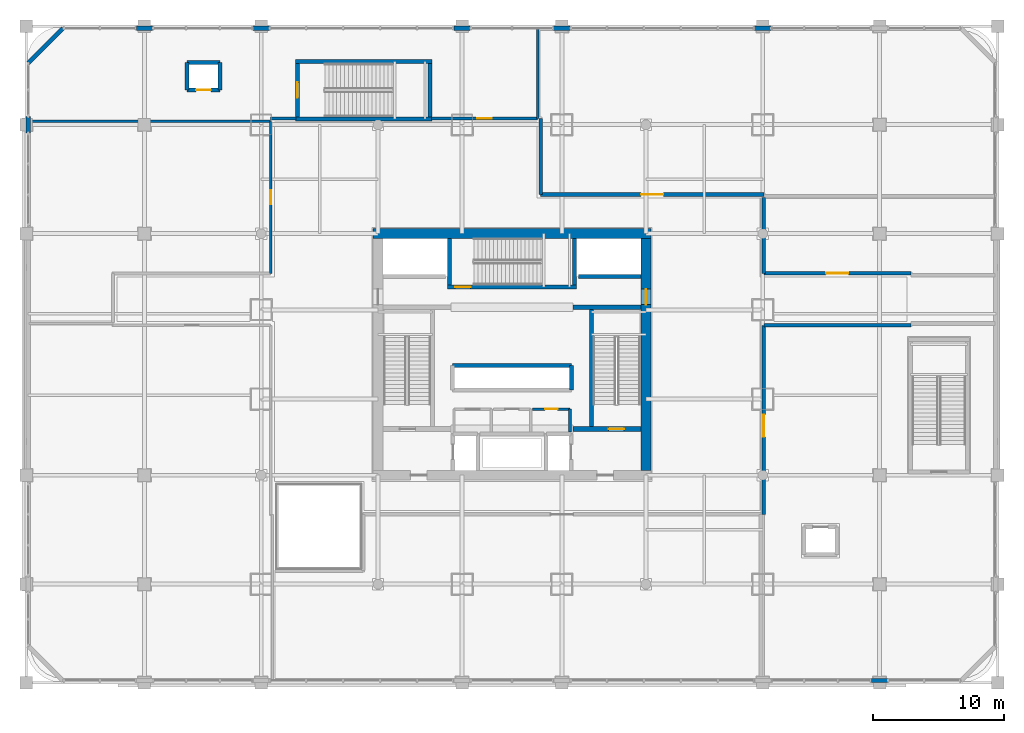
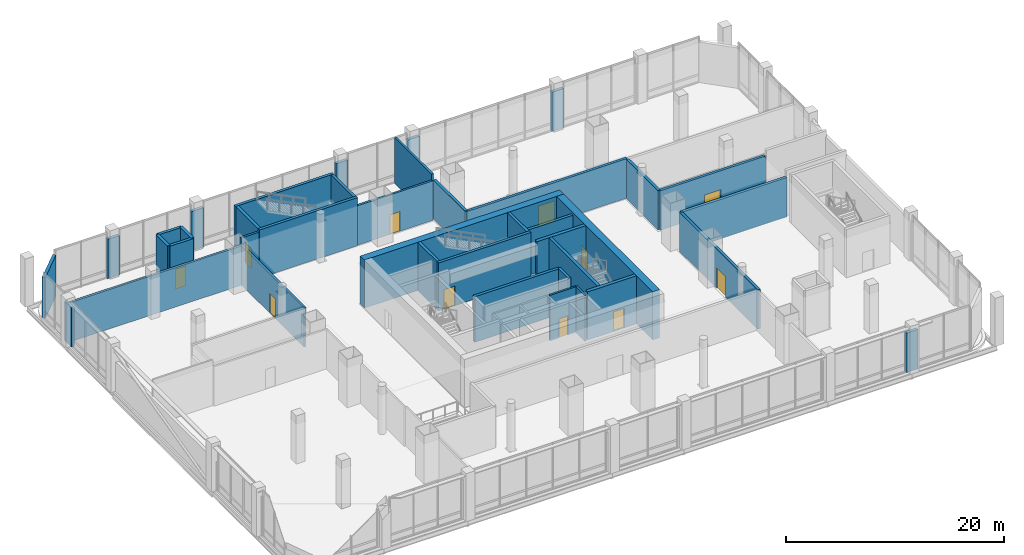
# One storey, part 28 of 39: 40 walls, 11 doors, 11 openings.
"""IFC4 building model written with IfcOpenShell, lengths in metres."""

from ifc_helpers import new_model, si_unit, direction, frame, frame_2d, origin, place, context, subcontext, project, spatial, rectangle, extrude, material, layer, layer_set, type_object, element, fill, save


model = new_model("IFC4")

# Units and contexts
model_context = context("Model", 3, precision=1e-05, world=origin(), true_north=direction((0.0, 1.0)))
body_context = subcontext(model_context, "Body", "Model", "MODEL_VIEW")
ifc_project = project(units=[si_unit("LENGTHUNIT", "METRE"), si_unit("AREAUNIT", "SQUARE_METRE"), si_unit("VOLUMEUNIT", "CUBIC_METRE"), si_unit("PLANEANGLEUNIT", "RADIAN"), si_unit("MASSUNIT", "GRAM", prefix="KILO")], contexts=[model_context])

# Site, building, storey
site_placement = place(None, origin())
site = spatial("IfcSite", under=ifc_project, at=site_placement, CompositionType="ELEMENT")
building_placement = place(site_placement, origin())
building = spatial("IfcBuilding", under=site, at=building_placement, Name="Punatoya Terracotta Tower", CompositionType="ELEMENT")
storey_placement = place(building_placement, frame((0.0, 0.0, 11.39990234375)))
storey = spatial("IfcBuildingStorey", under=building, at=storey_placement, Name="L02", CompositionType="ELEMENT", Elevation=11.39990234375)

# Wall, opening, door
ifc_material_1 = material(Name="Concrete C40/50", Category="concrete")
ifc_layer_1 = layer(ifc_material_1, 0.280029296875)
ifc_layer_set_1 = layer_set([ifc_layer_1], Name="Concrete C40/50")
wall_type_1 = type_object("IfcWallType", Name="WL-AUD-280", PredefinedType="SOLIDWALL", material=ifc_layer_set_1)
wall_1_placement = place(storey_placement, frame((19.179931640625, -12.179931640625, 0.0), z_axis=(0.0, 0.0, 1.0), x_axis=(0.0, 1.0, 0.0)))
wall_1 = element("IfcWall", 1, at=wall_1_placement, inside=storey, type_object=wall_type_1, Name="L02 East Terrace Cafe and Executive Dining Room Partition 16", PredefinedType="SOLIDWALL", context=body_context, shape_type="SweptSolid", body=[
    extrude(rectangle(XDim=14.39990234375, YDim=0.280029296875, at=frame_2d((7.199951171875, 0.0))), origin(), (0.0, 0.0, 1.0), 4.4140625),
])
opening_1_placement = place(wall_1_placement, frame((5.89990234375, 0.0, 0.0)))
opening_1 = element("IfcOpeningElement", 2, at=opening_1_placement, cuts=wall_1, Name="Opening FD-D1", PredefinedType="OPENING", context=body_context, shape_type="SweptSolid", body=[
    extrude(rectangle(XDim=1.699951171875, YDim=2.300048828125, at=frame_2d((0.85009765625, 1.14990234375))), frame((0.0, 0.14990234375, 0.0), z_axis=(0.0, -1.0, 0.0), x_axis=(1.0, 0.0, 0.0)), (0.0, 0.0, 1.0), 0.300048828125),
])
ifc_material_2 = material(Name="Timber Teak Veneer Fire Leaf", Category="wood")
door_type_1 = type_object("IfcDoorType", Name="DR-DIN-1700", OperationType="NOTDEFINED", PredefinedType="DOOR", material=ifc_material_2)
door_1_placement = place(opening_1_placement, origin())
door_1 = element("IfcDoor", 3, at=door_1_placement, inside=storey, type_object=door_type_1, Name="L02 East Terrace Cafe and Executive Dining Room Fire Door", OperationType="DOUBLE_DOOR_SINGLE_SWING", OverallHeight=2.300048828125, OverallWidth=1.699951171875, PredefinedType="DOOR", context=body_context, shape_type="SweptSolid", body=[
    extrude(rectangle(XDim=1.699951171875, YDim=2.300048828125, at=frame_2d((0.85009765625, 1.14990234375))), frame((0.0, 0.02490234375, 0.0), z_axis=(0.0, -1.0, 0.0), x_axis=(1.0, 0.0, 0.0)), (0.0, 0.0, 1.0), 0.050048828125),
])
fill(opening_1, door_1)

# Wall
wall_2_placement = place(storey_placement, frame((19.179931640625, 2.219970703125, 0.0), z_axis=(0.0, 0.0, 1.0), x_axis=(1.0, 0.0, 0.0)))
element("IfcWall", 4, at=wall_2_placement, inside=storey, type_object=wall_type_1, Name="L02 East Terrace Cafe and Executive Dining Room Partition 17", PredefinedType="SOLIDWALL", context=body_context, shape_type="SweptSolid", body=[
    extrude(rectangle(XDim=11.199951171875, YDim=0.280029296875, at=frame_2d((5.60009765625, 0.0))), origin(), (0.0, 0.0, 1.0), 4.4140625),
])

# Wall, opening, door
wall_3_placement = place(storey_placement, frame((19.179931640625, 12.179931640625, 0.0), z_axis=(0.0, 0.0, 1.0), x_axis=(-1.0, 0.0, 0.0)))
wall_3 = element("IfcWall", 5, at=wall_3_placement, inside=storey, type_object=wall_type_1, Name="L02 North Private Banquet Dining Suite Partition 27", PredefinedType="SOLIDWALL", context=body_context, shape_type="SweptSolid", body=[
    extrude(rectangle(XDim=17.0, YDim=0.280029296875, at=frame_2d((8.5, 0.0))), origin(), (0.0, 0.0, 1.0), 4.4140625),
])
opening_2_placement = place(wall_3_placement, frame((7.64990234375, 0.0, 0.0)))
opening_2 = element("IfcOpeningElement", 6, at=opening_2_placement, cuts=wall_3, Name="Opening FD-D1", PredefinedType="OPENING", context=body_context, shape_type="SweptSolid", body=[
    extrude(rectangle(XDim=1.699951171875, YDim=2.300048828125, at=frame_2d((0.85009765625, 1.14990234375))), frame((0.0, 0.14990234375, 0.0), z_axis=(0.0, -1.0, 0.0), x_axis=(1.0, 0.0, 0.0)), (0.0, 0.0, 1.0), 0.300048828125),
])
door_2_placement = place(opening_2_placement, origin())
door_2 = element("IfcDoor", 7, at=door_2_placement, inside=storey, type_object=door_type_1, Name="L02 North Private Banquet Dining Suite Fire Door", OperationType="DOUBLE_DOOR_SINGLE_SWING", OverallHeight=2.300048828125, OverallWidth=1.699951171875, PredefinedType="DOOR", context=body_context, shape_type="SweptSolid", body=[
    extrude(rectangle(XDim=1.699951171875, YDim=2.300048828125, at=frame_2d((0.85009765625, 1.14990234375))), frame((0.0, 0.02490234375, 0.0), z_axis=(0.0, -1.0, 0.0), x_axis=(1.0, 0.0, 0.0)), (0.0, 0.0, 1.0), 0.050048828125),
])
fill(opening_2, door_2)

# Wall
wall_4_placement = place(storey_placement, frame((2.179931640625, 12.179931640625, 0.0), z_axis=(0.0, 0.0, 1.0), x_axis=(0.0, 1.0, 0.0)))
element("IfcWall", 8, at=wall_4_placement, inside=storey, type_object=wall_type_1, Name="L02 North Private Banquet Dining Suite Partition 28", PredefinedType="SOLIDWALL", context=body_context, shape_type="SweptSolid", body=[
    extrude(rectangle(XDim=5.800048828125, YDim=0.280029296875, at=frame_2d((2.89990234375, 0.0))), origin(), (0.0, 0.0, 1.0), 4.4140625),
])

# Wall, opening, door
wall_5_placement = place(storey_placement, frame((30.3798828125, 6.179931640625, 0.0), z_axis=(0.0, 0.0, 1.0), x_axis=(-1.0, 0.0, 0.0)))
wall_5 = element("IfcWall", 9, at=wall_5_placement, inside=storey, type_object=wall_type_1, Name="L02 East Private Dining Lounge Partition 30", PredefinedType="SOLIDWALL", context=body_context, shape_type="SweptSolid", body=[
    extrude(rectangle(XDim=11.199951171875, YDim=0.280029296875, at=frame_2d((5.60009765625, 0.0))), origin(), (0.0, 0.0, 1.0), 4.4140625),
])
opening_3_placement = place(wall_5_placement, frame((4.75, 0.0, 0.0)))
opening_3 = element("IfcOpeningElement", 10, at=opening_3_placement, cuts=wall_5, Name="Opening FD-D1", PredefinedType="OPENING", context=body_context, shape_type="SweptSolid", body=[
    extrude(rectangle(XDim=1.699951171875, YDim=2.300048828125, at=frame_2d((0.85009765625, 1.14990234375))), frame((0.0, 0.14990234375, 0.0), z_axis=(0.0, -1.0, 0.0), x_axis=(1.0, 0.0, 0.0)), (0.0, 0.0, 1.0), 0.300048828125),
])
door_3_placement = place(opening_3_placement, origin())
door_3 = element("IfcDoor", 11, at=door_3_placement, inside=storey, type_object=door_type_1, Name="L02 East Private Dining Lounge Fire Door", OperationType="DOUBLE_DOOR_SINGLE_SWING", OverallHeight=2.300048828125, OverallWidth=1.699951171875, PredefinedType="DOOR", context=body_context, shape_type="SweptSolid", body=[
    extrude(rectangle(XDim=1.699951171875, YDim=2.300048828125, at=frame_2d((0.85009765625, 1.14990234375))), frame((0.0, 0.02490234375, 0.0), z_axis=(0.0, -1.0, 0.0), x_axis=(1.0, 0.0, 0.0)), (0.0, 0.0, 1.0), 0.050048828125),
])
fill(opening_3, door_3)

# Walls
wall_6_placement = place(storey_placement, frame((19.179931640625, 6.179931640625, 0.0), z_axis=(0.0, 0.0, 1.0), x_axis=(0.0, 1.0, 0.0)))
element("IfcWall", 12, at=wall_6_placement, inside=storey, type_object=wall_type_1, Name="L02 East Private Dining Lounge Partition 31", PredefinedType="SOLIDWALL", context=body_context, shape_type="SweptSolid", body=[
    extrude(rectangle(XDim=5.780029296875, YDim=0.280029296875, at=frame_2d((2.89013671875, 0.0))), origin(), (0.0, 0.0, 1.0), 4.4140625),
])
ifc_material_3 = material(Name="Concrete C60/75", Category="concrete")
ifc_layer_2 = layer(ifc_material_3, 0.75)
ifc_layer_set_2 = layer_set([ifc_layer_2], Name="Concrete C60/75")
wall_type_2 = type_object("IfcWallType", Name="WL-COR-750", PredefinedType="SHEAR", material=ifc_layer_set_2)
wall_7_placement = place(storey_placement, frame((-10.574951171875, 9.199951171875, 0.0), z_axis=(0.0, 0.0, 1.0), x_axis=(1.0, 0.0, 0.0)))
element("IfcWall", 13, at=wall_7_placement, inside=storey, type_object=wall_type_2, Name="L02 Core Shear Wall N", PredefinedType="SHEAR", context=body_context, shape_type="SweptSolid", body=[
    extrude(rectangle(XDim=21.14990234375, YDim=0.75, at=frame_2d((10.574951171875, 0.0))), origin(), (0.0, 0.0, 1.0), 5.400146484375),
])

# Wall, opening, door
wall_8_placement = place(storey_placement, frame((10.199951171875, 8.824951171875, 0.0), z_axis=(0.0, 0.0, 1.0), x_axis=(0.0, -1.0, 0.0)))
wall_8 = element("IfcWall", 14, at=wall_8_placement, inside=storey, type_object=wall_type_2, Name="L02 Core Shear Wall E", PredefinedType="SHEAR", context=body_context, shape_type="SweptSolid", body=[
    extrude(rectangle(XDim=17.64990234375, YDim=0.75, at=frame_2d((8.824951171875, 0.0))), origin(), (0.0, 0.0, 1.0), 5.400146484375),
])
opening_4_placement = place(wall_8_placement, frame((3.85498046875, 0.0, 0.0)))
opening_4 = element("IfcOpeningElement", 15, at=opening_4_placement, cuts=wall_8, Name="Opening SD-01", PredefinedType="OPENING", context=body_context, shape_type="SweptSolid", body=[
    extrude(rectangle(XDim=1.179931640625, YDim=2.199951171875, at=frame_2d((0.58984375, 1.10009765625))), frame((0.0, 0.385009765625, 0.0), z_axis=(0.0, -1.0, 0.0), x_axis=(1.0, 0.0, 0.0)), (0.0, 0.0, 1.0), 0.77001953125),
])
ifc_material_4 = material(Name="Galvanised Steel Pressurized Stair Fire Door", Category="steel")
door_type_2 = type_object("IfcDoorType", Name="DR-STR-1180", OperationType="NOTDEFINED", PredefinedType="DOOR", material=ifc_material_4)
door_4_placement = place(opening_4_placement, origin())
door_4 = element("IfcDoor", 16, at=door_4_placement, inside=storey, type_object=door_type_2, Name="L02 Central Lift Lobby East Fire Door", OperationType="SINGLE_SWING_RIGHT", OverallHeight=2.199951171875, OverallWidth=1.179931640625, PredefinedType="DOOR", context=body_context, shape_type="SweptSolid", body=[
    extrude(rectangle(XDim=1.179931640625, YDim=2.199951171875, at=frame_2d((0.58984375, 1.10009765625))), frame((0.0, 0.02490234375, 0.0), z_axis=(0.0, -1.0, 0.0), x_axis=(1.0, 0.0, 0.0)), (0.0, 0.0, 1.0), 0.050048828125),
])
fill(opening_4, door_4)

# Walls
ifc_material_5 = material(Name="Precast concrete C40/50", Category="concrete")
ifc_layer_3 = layer(ifc_material_5, 0.320068359375)
ifc_layer_set_3 = layer_set([ifc_layer_3], Name="Precast concrete C40/50")
wall_type_3 = type_object("IfcWallType", Name="WL-EXT-320", PredefinedType="SOLIDWALL", material=ifc_layer_set_3)
wall_9_placement = place(storey_placement, frame((-27.3798828125, 24.840087890625, 0.0), z_axis=(0.0, 0.0, 1.0), x_axis=(-1.0, 0.0, 0.0)))
element("IfcWall", 17, at=wall_9_placement, inside=storey, type_object=wall_type_3, Name="L02 North Column Cladding Pier 1", PredefinedType="SOLIDWALL", context=body_context, shape_type="SweptSolid", body=[
    extrude(rectangle(XDim=1.240234375, YDim=0.320068359375, at=frame_2d((0.6201171875, 0.0))), origin(), (0.0, 0.0, 1.0), 4.4140625),
])
for number, where, z_axis, x_axis, name in (
    (18, (-18.47998046875, 24.840087890625, 0.0), (0.0, 0.0, 1.0), (-1.0, 0.0, 0.0), "L02 North Column Cladding Pier 2"),
    (19, (-3.179931640625, 24.840087890625, 0.0), (0.0, 0.0, 1.0), (-1.0, 0.0, 0.0), "L02 North Column Cladding Pier 3"),
    (20, (4.419921875, 24.840087890625, 0.0), (0.0, 0.0, 1.0), (-1.0, 0.0, 0.0), "L02 North Column Cladding Pier 4"),
    (21, (19.719970703125, 24.840087890625, 0.0), (0.0, 0.0, 1.0), (-1.0, 0.0, 0.0), "L02 North Column Cladding Pier 5"),
):
    element("IfcWall", number, at=place(storey_placement, frame(where, z_axis=z_axis, x_axis=x_axis)), inside=storey, type_object=wall_type_3, Name=name, PredefinedType="SOLIDWALL", context=body_context, shape_type="SweptSolid", body=[
        extrude(rectangle(XDim=1.239990234375, YDim=0.320068359375, at=frame_2d((0.6201171875, 0.0))), origin(), (0.0, 0.0, 1.0), 4.4140625),
    ])
for number, where, z_axis, x_axis, name in (
    (22, (27.3798828125, -24.840087890625, 0.0), (0.0, 0.0, 1.0), (1.0, 0.0, 0.0), "L02 South Column Cladding Pier 6"),
    (23, (-36.840087890625, 16.8798828125, 0.0), (0.0, 0.0, 1.0), (0.0, 1.0, 0.0), "L02 West Pier 1-G"),
):
    element("IfcWall", number, at=place(storey_placement, frame(where, z_axis=z_axis, x_axis=x_axis)), inside=storey, type_object=wall_type_3, Name=name, PredefinedType="SOLIDWALL", context=body_context, shape_type="SweptSolid", body=[
        extrude(rectangle(XDim=1.240234375, YDim=0.320068359375, at=frame_2d((0.6201171875, 0.0))), origin(), (0.0, 0.0, 1.0), 4.4140625),
    ])
wall_10_placement = place(storey_placement, frame((-36.840087890625, 22.199951171875, 0.0), z_axis=(0.0, 0.0, 1.0), x_axis=(0.707106781187, 0.707106781187, 0.0)))
element("IfcWall", 24, at=wall_10_placement, inside=storey, type_object=wall_type_3, Name="L02 Terracotta Corner Pier 2", PredefinedType="SOLIDWALL", context=body_context, shape_type="SweptSolid", body=[
    extrude(rectangle(XDim=3.733642578125, YDim=0.320068359375, at=frame_2d((1.86669921875, 0.0))), origin(), (0.0, 0.0, 1.0), 4.564208984375),
])
ifc_layer_4 = layer(ifc_material_1, 0.219970703125)
ifc_layer_set_4 = layer_set([ifc_layer_4], Name="Concrete C40/50")
wall_type_4 = type_object("IfcWallType", Name="WL-FIR-220", PredefinedType="SOLIDWALL", material=ifc_layer_set_4)
wall_11_placement = place(storey_placement, frame((-36.780029296875, 17.760009765625, 0.0), z_axis=(0.0, 0.0, 1.0), x_axis=(1.0, 0.0, 0.0)))
element("IfcWall", 25, at=wall_11_placement, inside=storey, type_object=wall_type_4, Name="L02 Central Commercial Culinary Kitchen Partition 19", PredefinedType="SOLIDWALL", context=body_context, shape_type="SweptSolid", body=[
    extrude(rectangle(XDim=18.400146484375, YDim=0.219970703125, at=frame_2d((9.2001953125, 0.0))), origin(), (0.0, 0.0, 1.0), 4.4140625),
])

# Wall, opening, door
wall_12_placement = place(storey_placement, frame((-18.3798828125, 17.760009765625, 0.0), z_axis=(0.0, 0.0, 1.0), x_axis=(0.0, -1.0, 0.0)))
wall_12 = element("IfcWall", 26, at=wall_12_placement, inside=storey, type_object=wall_type_4, Name="L02 Central Commercial Culinary Kitchen Partition 20", PredefinedType="SOLIDWALL", context=body_context, shape_type="SweptSolid", body=[
    extrude(rectangle(XDim=11.580078125, YDim=0.219970703125, at=frame_2d((5.7900390625, 0.0))), origin(), (0.0, 0.0, 1.0), 4.4140625),
])
opening_5_placement = place(wall_12_placement, frame((5.264892578125, 0.0, 0.0)))
opening_5 = element("IfcOpeningElement", 27, at=opening_5_placement, cuts=wall_12, Name="Opening OD-01", PredefinedType="OPENING", context=body_context, shape_type="SweptSolid", body=[
    extrude(rectangle(XDim=1.050048828125, YDim=2.199951171875, at=frame_2d((0.52490234375, 1.10009765625))), frame((0.0, 0.119873046875, 0.0), z_axis=(0.0, -1.0, 0.0), x_axis=(1.0, 0.0, 0.0)), (0.0, 0.0, 1.0), 0.239990234375),
])
ifc_material_6 = material(Name="Bengal Teak Solid-Core Leaf")
door_type_3 = type_object("IfcDoorType", Name="DR-OFF-1050", OperationType="NOTDEFINED", PredefinedType="DOOR", material=ifc_material_6)
door_5_placement = place(opening_5_placement, origin())
door_5 = element("IfcDoor", 28, at=door_5_placement, inside=storey, type_object=door_type_3, Name="L02 Central Commercial Culinary Kitchen Door", OperationType="SINGLE_SWING_LEFT", OverallHeight=2.199951171875, OverallWidth=1.050048828125, PredefinedType="DOOR", context=body_context, shape_type="SweptSolid", body=[
    extrude(rectangle(XDim=1.050048828125, YDim=2.199951171875, at=frame_2d((0.52490234375, 1.10009765625))), frame((0.0, 0.02490234375, 0.0), z_axis=(0.0, -1.0, 0.0), x_axis=(1.0, 0.0, 0.0)), (0.0, 0.0, 1.0), 0.050048828125),
])
fill(opening_5, door_5)

# Wall
wall_13_placement = place(storey_placement, frame((1.9599609375, 24.780029296875, 0.0), z_axis=(0.0, 0.0, 1.0), x_axis=(0.0, -1.0, 0.0)))
element("IfcWall", 29, at=wall_13_placement, inside=storey, type_object=wall_type_4, Name="L02 Dry Goods and Cold Storage Commissary Partition 23", PredefinedType="SOLIDWALL", context=body_context, shape_type="SweptSolid", body=[
    extrude(rectangle(XDim=6.800048828125, YDim=0.219970703125, at=frame_2d((3.39990234375, 0.0))), origin(), (0.0, 0.0, 1.0), 5.1201171875),
])

# Wall, opening, door
wall_14_placement = place(storey_placement, frame((1.9599609375, 17.97998046875, 0.0), z_axis=(0.0, 0.0, 1.0), x_axis=(-1.0, 0.0, 0.0)))
wall_14 = element("IfcWall", 30, at=wall_14_placement, inside=storey, type_object=wall_type_4, Name="L02 Dry Goods and Cold Storage Commissary Partition 24", PredefinedType="SOLIDWALL", context=body_context, shape_type="SweptSolid", body=[
    extrude(rectangle(XDim=8.099853515625, YDim=0.219970703125, at=frame_2d((4.0498046875, 0.0))), origin(), (0.0, 0.0, 1.0), 4.4140625),
])
opening_6_placement = place(wall_14_placement, frame((3.5, 0.0, 0.0)))
opening_6 = element("IfcOpeningElement", 31, at=opening_6_placement, cuts=wall_14, Name="Opening FD-P1", PredefinedType="OPENING", context=body_context, shape_type="SweptSolid", body=[
    extrude(rectangle(XDim=1.10009765625, YDim=2.199951171875, at=frame_2d((0.550048828125, 1.10009765625))), frame((0.0, 0.119873046875, 0.0), z_axis=(0.0, -1.0, 0.0), x_axis=(1.0, 0.0, 0.0)), (0.0, 0.0, 1.0), 0.239990234375),
])
ifc_material_7 = material(Name="Galvanised Steel Plant Fire Door", Category="steel")
door_type_4 = type_object("IfcDoorType", Name="DR-PLT-1100", OperationType="NOTDEFINED", PredefinedType="DOOR", material=ifc_material_7)
door_6_placement = place(opening_6_placement, origin())
door_6 = element("IfcDoor", 32, at=door_6_placement, inside=storey, type_object=door_type_4, Name="L02 Dry Goods and Cold Storage Commissary Fire Door", OperationType="SINGLE_SWING_RIGHT", OverallHeight=2.199951171875, OverallWidth=1.10009765625, PredefinedType="DOOR", context=body_context, shape_type="SweptSolid", body=[
    extrude(rectangle(XDim=1.10009765625, YDim=2.199951171875, at=frame_2d((0.550048828125, 1.10009765625))), frame((0.0, 0.02490234375, 0.0), z_axis=(0.0, -1.0, 0.0), x_axis=(1.0, 0.0, 0.0)), (0.0, 0.0, 1.0), 0.050048828125),
])
fill(opening_6, door_6)

# Walls
wall_15_placement = place(storey_placement, frame((-16.4599609375, 17.97998046875, 0.0), z_axis=(0.0, 0.0, 1.0), x_axis=(-1.0, 0.0, 0.0)))
element("IfcWall", 33, at=wall_15_placement, inside=storey, type_object=wall_type_4, Name="L02 Dry Goods and Cold Storage Commissary Partition 25", PredefinedType="SOLIDWALL", context=body_context, shape_type="SweptSolid", body=[
    extrude(rectangle(XDim=1.919921875, YDim=0.219970703125, at=frame_2d((0.9599609375, 0.0))), origin(), (0.0, 0.0, 1.0), 5.1201171875),
])
ifc_layer_5 = layer(ifc_material_1, 0.199951171875)
ifc_layer_set_5 = layer_set([ifc_layer_5], Name="Concrete C40/50")
wall_type_5 = type_object("IfcWallType", Name="WL-INT-200", PredefinedType="SOLIDWALL", material=ifc_layer_set_5)
wall_16_placement = place(storey_placement, frame((4.419921875, -5.89990234375, 0.0), z_axis=(0.0, 0.0, 1.0), x_axis=(0.0, 1.0, 0.0)))
element("IfcWall", 34, at=wall_16_placement, inside=storey, type_object=wall_type_5, Name="L02 All-Gender Washroom Partition 06", PredefinedType="SOLIDWALL", context=body_context, shape_type="SweptSolid", body=[
    extrude(rectangle(XDim=1.739990234375, YDim=0.199951171875, at=frame_2d((0.8701171875, 0.0))), origin(), (0.0, 0.0, 1.0), 5.1201171875),
])

# Wall, opening, door
wall_17_placement = place(storey_placement, frame((4.419921875, -4.159912109375, 0.0), z_axis=(0.0, 0.0, 1.0), x_axis=(-1.0, 0.0, 0.0)))
wall_17 = element("IfcWall", 35, at=wall_17_placement, inside=storey, type_object=wall_type_5, Name="L02 All-Gender Washroom Partition 07", PredefinedType="SOLIDWALL", context=body_context, shape_type="SweptSolid", body=[
    extrude(rectangle(XDim=2.83984375, YDim=0.199951171875, at=frame_2d((1.419921875, 0.0))), origin(), (0.0, 0.0, 1.0), 5.1201171875),
])
opening_7_placement = place(wall_17_placement, frame((0.945068359375, 0.0, 0.0)))
opening_7 = element("IfcOpeningElement", 36, at=opening_7_placement, cuts=wall_17, Name="Opening WD-01", PredefinedType="OPENING", context=body_context, shape_type="SweptSolid", body=[
    extrude(rectangle(XDim=0.949951171875, YDim=2.14990234375, at=frame_2d((0.47509765625, 1.074951171875))), frame((0.0, 0.10986328125, 0.0), z_axis=(0.0, -1.0, 0.0), x_axis=(1.0, 0.0, 0.0)), (0.0, 0.0, 1.0), 0.219970703125),
])
ifc_material_8 = material(Name="Moisture-Resistant Laminate Timber Leaf", Category="wood")
door_type_5 = type_object("IfcDoorType", Name="DR-WC-950", OperationType="NOTDEFINED", PredefinedType="DOOR", material=ifc_material_8)
door_7_placement = place(opening_7_placement, origin())
door_7 = element("IfcDoor", 37, at=door_7_placement, inside=storey, type_object=door_type_5, Name="L02 All-Gender Washroom Door", OperationType="SINGLE_SWING_LEFT", OverallHeight=2.14990234375, OverallWidth=0.949951171875, PredefinedType="DOOR", context=body_context, shape_type="SweptSolid", body=[
    extrude(rectangle(XDim=0.949951171875, YDim=2.14990234375, at=frame_2d((0.47509765625, 1.074951171875))), frame((0.0, 0.02490234375, 0.0), z_axis=(0.0, -1.0, 0.0), x_axis=(1.0, 0.0, 0.0)), (0.0, 0.0, 1.0), 0.050048828125),
])
fill(opening_7, door_7)

# Walls
ifc_layer_6 = layer(ifc_material_1, 0.300048828125)
ifc_layer_set_6 = layer_set([ifc_layer_6], Name="Concrete C40/50")
wall_type_6 = type_object("IfcWallType", Name="WL-SHF-300", PredefinedType="SOLIDWALL", material=ifc_layer_set_6)
wall_18_placement = place(storey_placement, frame((6.050048828125, 3.449951171875, 0.0), z_axis=(0.0, 0.0, 1.0), x_axis=(0.0, -1.0, 0.0)))
element("IfcWall", 38, at=wall_18_placement, inside=storey, type_object=wall_type_6, Name="L02 Structural Stair Shaft Wall SW-ST2-W", PredefinedType="SOLIDWALL", context=body_context, shape_type="SweptSolid", body=[
    extrude(rectangle(XDim=8.949951171875, YDim=0.300048828125, at=frame_2d((4.47509765625, 0.0))), origin(), (0.0, 0.0, 1.0), 5.400146484375),
])
for number, where, z_axis, x_axis, name in (
    (39, (-4.75, 5.300048828125, 0.0), (0.0, 0.0, 1.0), (0.0, 1.0, 0.0), "L02 Structural Stair Shaft Wall SW-ST3-W"),
    (40, (4.75, 8.824951171875, 0.0), (0.0, 0.0, 1.0), (0.0, -1.0, 0.0), "L02 Structural Stair Shaft Wall SW-ST3-E"),
):
    element("IfcWall", number, at=place(storey_placement, frame(where, z_axis=z_axis, x_axis=x_axis)), inside=storey, type_object=wall_type_6, Name=name, PredefinedType="SOLIDWALL", context=body_context, shape_type="SweptSolid", body=[
        extrude(rectangle(XDim=3.52490234375, YDim=0.300048828125, at=frame_2d((1.762451171875, 0.0))), origin(), (0.0, 0.0, 1.0), 5.400146484375),
    ])

# Wall, opening, door
wall_19_placement = place(storey_placement, frame((-4.89990234375, 5.14990234375, 0.0), z_axis=(0.0, 0.0, 1.0), x_axis=(1.0, 0.0, 0.0)))
wall_19 = element("IfcWall", 41, at=wall_19_placement, inside=storey, type_object=wall_type_6, Name="L02 Structural Stair Shaft Wall SW-ST3-S", PredefinedType="SOLIDWALL", context=body_context, shape_type="SweptSolid", body=[
    extrude(rectangle(XDim=9.7998046875, YDim=0.300048828125, at=frame_2d((4.89990234375, 0.0))), origin(), (0.0, 0.0, 1.0), 5.400146484375),
])
opening_8_placement = place(wall_19_placement, frame((0.56005859375, 0.0, 0.0)))
opening_8 = element("IfcOpeningElement", 42, at=opening_8_placement, cuts=wall_19, Name="Opening SD-01", PredefinedType="OPENING", context=body_context, shape_type="SweptSolid", body=[
    extrude(rectangle(XDim=1.179931640625, YDim=2.199951171875, at=frame_2d((0.58984375, 1.10009765625))), frame((0.0, 0.159912109375, 0.0), z_axis=(0.0, -1.0, 0.0), x_axis=(1.0, 0.0, 0.0)), (0.0, 0.0, 1.0), 0.320068359375),
])
door_8_placement = place(opening_8_placement, origin())
door_8 = element("IfcDoor", 43, at=door_8_placement, inside=storey, type_object=door_type_2, Name="L02 Stair ST-3 Core Lobby Fire Door", OperationType="SINGLE_SWING_LEFT", OverallHeight=2.199951171875, OverallWidth=1.179931640625, PredefinedType="DOOR", context=body_context, shape_type="SweptSolid", body=[
    extrude(rectangle(XDim=1.179931640625, YDim=2.199951171875, at=frame_2d((0.58984375, 1.10009765625))), frame((0.0, 0.02490234375, 0.0), z_axis=(0.0, -1.0, 0.0), x_axis=(1.0, 0.0, 0.0)), (0.0, 0.0, 1.0), 0.050048828125),
])
fill(opening_8, door_8)

# Walls
for number, where, z_axis, x_axis, name in (
    (44, (-16.5, 17.949951171875, 0.0), (0.0, 0.0, 1.0), (1.0, 0.0, 0.0), "L02 ST-P1 South Structural Shaft Wall"),
    (45, (-6.10009765625, 22.300048828125, 0.0), (0.0, 0.0, 1.0), (-1.0, 0.0, 0.0), "L02 ST-P1 North Structural Shaft Wall"),
):
    element("IfcWall", number, at=place(storey_placement, frame(where, z_axis=z_axis, x_axis=x_axis)), inside=storey, type_object=wall_type_6, Name=name, PredefinedType="SOLIDWALL", context=body_context, shape_type="SweptSolid", body=[
        extrude(rectangle(XDim=10.39990234375, YDim=0.300048828125, at=frame_2d((5.199951171875, 0.0))), origin(), (0.0, 0.0, 1.0), 5.400146484375),
    ])

# Wall, opening, door
wall_20_placement = place(storey_placement, frame((-16.35009765625, 18.10009765625, 0.0), z_axis=(0.0, 0.0, 1.0), x_axis=(0.0, 1.0, 0.0)))
wall_20 = element("IfcWall", 46, at=wall_20_placement, inside=storey, type_object=wall_type_6, Name="L02 ST-P1 West Structural Shaft Wall", PredefinedType="SOLIDWALL", context=body_context, shape_type="SweptSolid", body=[
    extrude(rectangle(XDim=4.0498046875, YDim=0.300048828125, at=frame_2d((2.02490234375, 0.0))), origin(), (0.0, 0.0, 1.0), 5.400146484375),
])
opening_9_placement = place(wall_20_placement, frame((1.43505859375, 0.0, 0.0)))
opening_9 = element("IfcOpeningElement", 47, at=opening_9_placement, cuts=wall_20, Name="Opening SD-01", PredefinedType="OPENING", context=body_context, shape_type="SweptSolid", body=[
    extrude(rectangle(XDim=1.179931640625, YDim=2.199951171875, at=frame_2d((0.58984375, 1.10009765625))), frame((0.0, 0.159912109375, 0.0), z_axis=(0.0, -1.0, 0.0), x_axis=(1.0, 0.0, 0.0)), (0.0, 0.0, 1.0), 0.320068359375),
])
door_9_placement = place(opening_9_placement, origin())
door_9 = element("IfcDoor", 48, at=door_9_placement, inside=storey, type_object=door_type_2, Name="L02 Podium Stair ST-P1 Fire Door", OperationType="SINGLE_SWING_LEFT", OverallHeight=2.199951171875, OverallWidth=1.179931640625, PredefinedType="DOOR", context=body_context, shape_type="SweptSolid", body=[
    extrude(rectangle(XDim=1.179931640625, YDim=2.199951171875, at=frame_2d((0.58984375, 1.10009765625))), frame((0.0, 0.02490234375, 0.0), z_axis=(0.0, -1.0, 0.0), x_axis=(1.0, 0.0, 0.0)), (0.0, 0.0, 1.0), 0.050048828125),
])
fill(opening_9, door_9)

# Walls
wall_21_placement = place(storey_placement, frame((-6.25, 22.14990234375, 0.0), z_axis=(0.0, 0.0, 1.0), x_axis=(0.0, -1.0, 0.0)))
element("IfcWall", 49, at=wall_21_placement, inside=storey, type_object=wall_type_6, Name="L02 ST-P1 East Structural Shaft Wall", PredefinedType="SOLIDWALL", context=body_context, shape_type="SweptSolid", body=[
    extrude(rectangle(XDim=4.0498046875, YDim=0.300048828125, at=frame_2d((2.02490234375, 0.0))), origin(), (0.0, 0.0, 1.0), 5.400146484375),
])
wall_22_placement = place(storey_placement, frame((-4.52001953125, -0.840087890625, 0.0), z_axis=(0.0, 0.0, 1.0), x_axis=(1.0, 0.0, 0.0)))
element("IfcWall", 50, at=wall_22_placement, inside=storey, type_object=wall_type_6, Name="L02 South Lift Bank Front Shaft Wall", PredefinedType="SOLIDWALL", context=body_context, shape_type="SweptSolid", body=[
    extrude(rectangle(XDim=9.0400390625, YDim=0.300048828125, at=frame_2d((4.52001953125, 0.0))), origin(), (0.0, 0.0, 1.0), 5.1201171875),
])
wall_23_placement = place(storey_placement, frame((4.52001953125, -2.719970703125, 0.0), z_axis=(0.0, 0.0, 1.0), x_axis=(0.0, 1.0, 0.0)))
element("IfcWall", 51, at=wall_23_placement, inside=storey, type_object=wall_type_6, Name="L02 South Lift Bank East End Wall", PredefinedType="SOLIDWALL", context=body_context, shape_type="SweptSolid", body=[
    extrude(rectangle(XDim=1.8798828125, YDim=0.300048828125, at=frame_2d((0.93994140625, 0.0))), origin(), (0.0, 0.0, 1.0), 5.1201171875),
])
wall_24_placement = place(storey_placement, frame((5.06005859375, 5.949951171875, 0.0), z_axis=(0.0, 0.0, 1.0), x_axis=(1.0, 0.0, 0.0)))
element("IfcWall", 52, at=wall_24_placement, inside=storey, type_object=wall_type_6, Name="L02 Shuttle SL-2 South Hoistway Wall", PredefinedType="SOLIDWALL", context=body_context, shape_type="SweptSolid", body=[
    extrude(rectangle(XDim=4.760009765625, YDim=0.300048828125, at=frame_2d((2.3798828125, 0.0))), origin(), (0.0, 0.0, 1.0), 5.1201171875),
])

# Wall, opening, door
wall_25_placement = place(storey_placement, frame((-24.75, 20.14990234375, 0.0), z_axis=(0.0, 0.0, 1.0), x_axis=(1.0, 0.0, 0.0)))
wall_25 = element("IfcWall", 53, at=wall_25_placement, inside=storey, type_object=wall_type_6, Name="L02 Podium Lift PL-P1 Front Wall", PredefinedType="SOLIDWALL", context=body_context, shape_type="SweptSolid", body=[
    extrude(rectangle(XDim=2.5, YDim=0.300048828125, at=frame_2d((1.25, 0.0))), origin(), (0.0, 0.0, 1.0), 5.1201171875),
])
opening_10_placement = place(wall_25_placement, frame((0.68994140625, 0.0, 0.0)))
opening_10 = element("IfcOpeningElement", 54, at=opening_10_placement, cuts=wall_25, Name="Opening LD-02", PredefinedType="OPENING", context=body_context, shape_type="SweptSolid", body=[
    extrude(rectangle(XDim=1.1201171875, YDim=2.25, at=frame_2d((0.56005859375, 1.125))), frame((0.0, 0.159912109375, 0.0), z_axis=(0.0, -1.0, 0.0), x_axis=(1.0, 0.0, 0.0)), (0.0, 0.0, 1.0), 0.320068359375),
])
ifc_material_9 = material(Name="Stainless Steel Lift Landing Door", Category="steel")
door_type_6 = type_object("IfcDoorType", Name="DR-LND-1120", OperationType="NOTDEFINED", PredefinedType="DOOR", material=ifc_material_9)
door_10_placement = place(opening_10_placement, origin())
door_10 = element("IfcDoor", 55, at=door_10_placement, inside=storey, type_object=door_type_6, Name="L02 Podium Lift PL-P1 Sliding Landing Door", OperationType="DOUBLE_DOOR_SLIDING", OverallHeight=2.25, OverallWidth=1.1201171875, PredefinedType="DOOR", context=body_context, shape_type="SweptSolid", body=[
    extrude(rectangle(XDim=1.1201171875, YDim=2.25, at=frame_2d((0.56005859375, 1.125))), frame((0.0, 0.02490234375, 0.0), z_axis=(0.0, -1.0, 0.0), x_axis=(1.0, 0.0, 0.0)), (0.0, 0.0, 1.0), 0.050048828125),
])
fill(opening_10, door_10)

# Walls
wall_26_placement = place(storey_placement, frame((-24.75, 22.25, 0.0), z_axis=(0.0, 0.0, 1.0), x_axis=(1.0, 0.0, 0.0)))
element("IfcWall", 56, at=wall_26_placement, inside=storey, type_object=wall_type_6, Name="L02 Podium Lift PL-P1 Rear Wall", PredefinedType="SOLIDWALL", context=body_context, shape_type="SweptSolid", body=[
    extrude(rectangle(XDim=2.5, YDim=0.300048828125, at=frame_2d((1.25, 0.0))), origin(), (0.0, 0.0, 1.0), 5.1201171875),
])
for number, where, z_axis, x_axis, name in (
    (57, (-24.75, 20.14990234375, 0.0), (0.0, 0.0, 1.0), (0.0, 1.0, 0.0), "L02 Podium Lift PL-P1 West Wall"),
    (58, (-22.25, 20.14990234375, 0.0), (0.0, 0.0, 1.0), (0.0, 1.0, 0.0), "L02 Podium Lift PL-P1 East Wall"),
):
    element("IfcWall", number, at=place(storey_placement, frame(where, z_axis=z_axis, x_axis=x_axis)), inside=storey, type_object=wall_type_6, Name=name, PredefinedType="SOLIDWALL", context=body_context, shape_type="SweptSolid", body=[
        extrude(rectangle(XDim=2.10009765625, YDim=0.300048828125, at=frame_2d((1.050048828125, 0.0))), origin(), (0.0, 0.0, 1.0), 5.1201171875),
    ])

# Wall, opening, door
ifc_material_10 = material(Name="Concrete C50/60", Category="concrete")
ifc_layer_7 = layer(ifc_material_10, 0.35009765625)
ifc_layer_set_7 = layer_set([ifc_layer_7], Name="Concrete C50/60")
wall_type_7 = type_object("IfcWallType", Name="WL-SHF-350", PredefinedType="SOLIDWALL", material=ifc_layer_set_7)
wall_27_placement = place(storey_placement, frame((4.64990234375, -5.679931640625, 0.0), z_axis=(0.0, 0.0, 1.0), x_axis=(1.0, 0.0, 0.0)))
wall_27 = element("IfcWall", 59, at=wall_27_placement, inside=storey, type_object=wall_type_7, Name="L02 Core Web Wall CSW-R", PredefinedType="SOLIDWALL", context=body_context, shape_type="SweptSolid", body=[
    extrude(rectangle(XDim=5.175048828125, YDim=0.35009765625, at=frame_2d((2.58740234375, 0.0))), origin(), (0.0, 0.0, 1.0), 5.400146484375),
])
opening_11_placement = place(wall_27_placement, frame((2.7099609375, 0.0, 0.0)))
opening_11 = element("IfcOpeningElement", 60, at=opening_11_placement, cuts=wall_27, Name="Opening SD-01", PredefinedType="OPENING", context=body_context, shape_type="SweptSolid", body=[
    extrude(rectangle(XDim=1.179931640625, YDim=2.199951171875, at=frame_2d((0.58984375, 1.10009765625))), frame((0.0, 0.18505859375, 0.0), z_axis=(0.0, -1.0, 0.0), x_axis=(1.0, 0.0, 0.0)), (0.0, 0.0, 1.0), 0.3701171875),
])
door_11_placement = place(opening_11_placement, origin())
door_11 = element("IfcDoor", 61, at=door_11_placement, inside=storey, type_object=door_type_2, Name="L02 Stair ST-2 Smokeproof Lobby Fire Door", OperationType="SINGLE_SWING_RIGHT", OverallHeight=2.199951171875, OverallWidth=1.179931640625, PredefinedType="DOOR", context=body_context, shape_type="SweptSolid", body=[
    extrude(rectangle(XDim=1.179931640625, YDim=2.199951171875, at=frame_2d((0.58984375, 1.10009765625))), frame((0.0, 0.02490234375, 0.0), z_axis=(0.0, -1.0, 0.0), x_axis=(1.0, 0.0, 0.0)), (0.0, 0.0, 1.0), 0.050048828125),
])
fill(opening_11, door_11)

# Wall
wall_28_placement = place(storey_placement, frame((4.64990234375, 3.60009765625, 0.0), z_axis=(0.0, 0.0, 1.0), x_axis=(1.0, 0.0, 0.0)))
element("IfcWall", 62, at=wall_28_placement, inside=storey, type_object=wall_type_7, Name="L02 Core Web Wall CNW-R", PredefinedType="SOLIDWALL", context=body_context, shape_type="SweptSolid", body=[
    extrude(rectangle(XDim=5.175048828125, YDim=0.35009765625, at=frame_2d((2.58740234375, 0.0))), origin(), (0.0, 0.0, 1.0), 5.400146484375),
])

save(model, "model.ifc")
